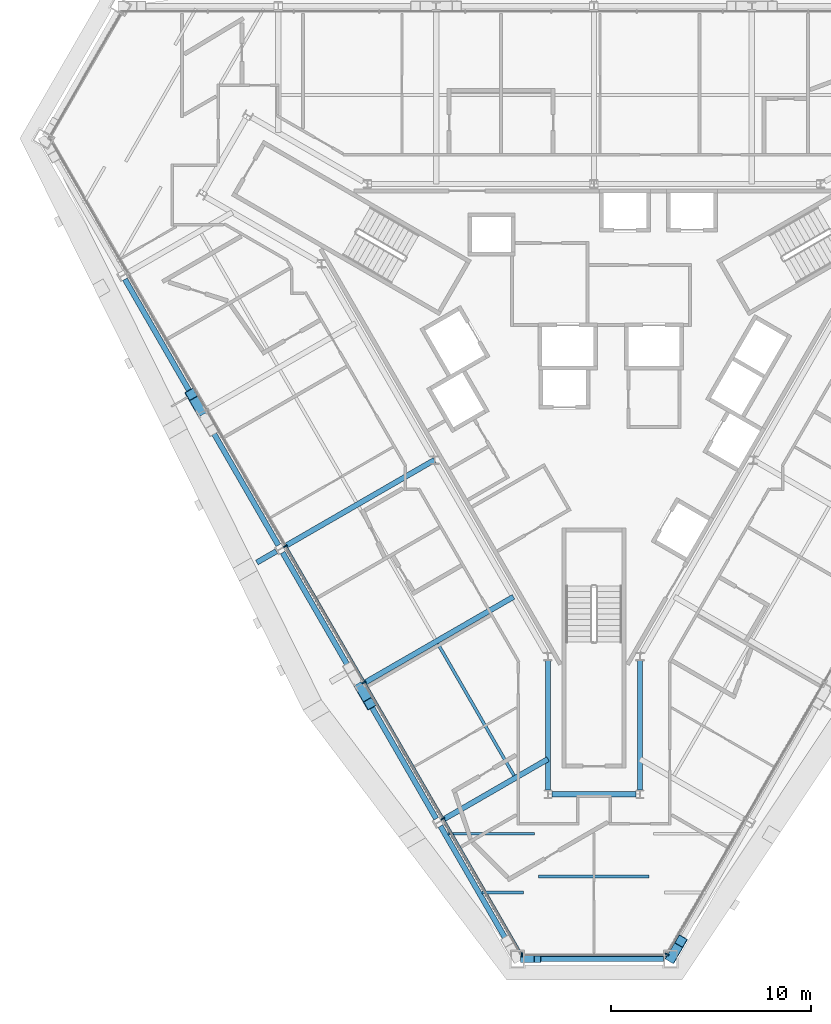
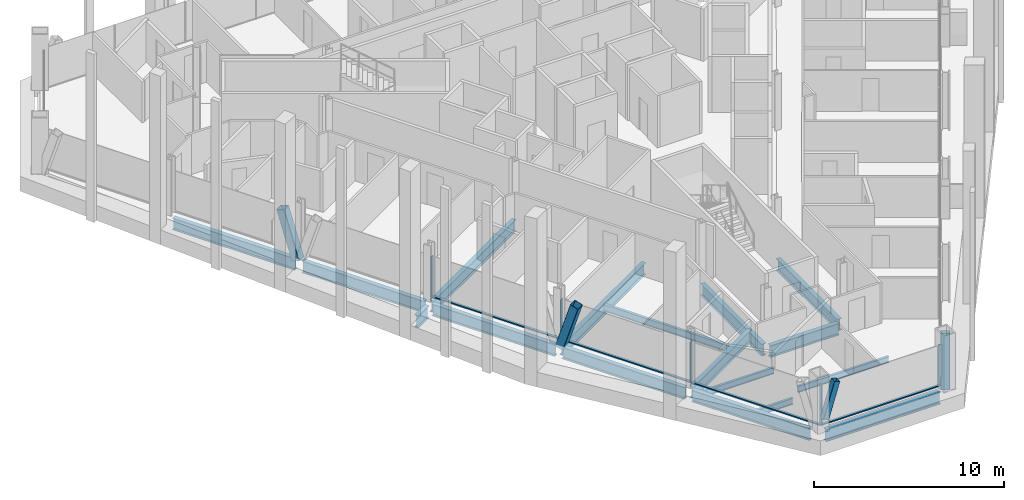
# One storey, part 3 of 17: 17 beams, 13 members, 3 elements without a shape of their own.
"""IFC4 building model written with IfcOpenShell, lengths in metres."""

from ifc_helpers import new_model, si_unit, direction, frame, origin, origin_2d, place, context, subcontext, project, spatial, rectangle, hollow_rectangle, i_section, extrude, material, material_profile, profile_set, type_object, element, aggregate, save


model = new_model("IFC4")

# Units and contexts
model_context = context("Model", 3, precision=1e-05, world=origin(), true_north=direction((0.0, 1.0)))
body_context = subcontext(model_context, "Body", "Model", "MODEL_VIEW")
ifc_project = project(units=[si_unit("LENGTHUNIT", "METRE"), si_unit("AREAUNIT", "SQUARE_METRE"), si_unit("VOLUMEUNIT", "CUBIC_METRE"), si_unit("PLANEANGLEUNIT", "RADIAN"), si_unit("MASSUNIT", "GRAM", prefix="KILO")], contexts=[model_context])

# Site, building, storey
site_placement = place(None, origin())
site = spatial("IfcSite", under=ifc_project, at=site_placement, CompositionType="ELEMENT")
building_placement = place(site_placement, origin())
building = spatial("IfcBuilding", under=site, at=building_placement, Name="Verrane Prism Tower", CompositionType="ELEMENT")
storey_placement = place(building_placement, frame((0.0, 0.0, 92.800048828125)))
storey = spatial("IfcBuildingStorey", under=building, at=storey_placement, Name="L21", CompositionType="ELEMENT", Elevation=92.800048828125)

# Member
ifc_material_1 = material(Name="Steel A500 Grade C", Category="steel")
ifc_material_profile_1 = material_profile(ifc_material_1, hollow_rectangle(XDim=0.355712890625, YDim=0.355712890625, WallThickness=0.0126953125, InnerFilletRadius=0.00634765625, OuterFilletRadius=0.01904296875, at=origin_2d()), Name="HSS14x14x1/2")
ifc_profile_set_1 = profile_set([ifc_material_profile_1], Name="Steel A500 Grade C")
member_type_1 = type_object("IfcMemberType", Name="Chamfer brace HSS14x14x1/2", PredefinedType="BRACE", material=ifc_profile_set_1)
member_1_placement = place(storey_placement, frame((-3.510009765625, -29.5400390625, 0.509033203125), z_axis=(0.290814430596, 0.0, 0.95677947666), x_axis=(0.0, 1.0, 0.0)))
element("IfcMember", 1, at=member_1_placement, inside=storey, type_object=member_type_1, Name="Chamfer brace S0 L21", PredefinedType="BRACE", context=body_context, shape_type="SweptSolid", body=[
    extrude(hollow_rectangle(XDim=0.355712890625, YDim=0.355712890625, WallThickness=0.0126953125, InnerFilletRadius=0.00634765625, OuterFilletRadius=0.01904296875, at=origin_2d()), origin(), (0.0, 0.0, 1.0), 2.3505859375),
])

# Beams
ifc_material_2 = material(Name="Steel A992", Category="steel")
ifc_material_profile_2 = material_profile(ifc_material_2, i_section(OverallWidth=0.2666015625, OverallDepth=0.76708984375, WebThickness=0.014892578125, FlangeThickness=0.023681640625, FilletRadius=0.0166015625, at=origin_2d()), Name="W30x124")
ifc_profile_set_2 = profile_set([ifc_material_profile_2], Name="Steel A992")
beam_type_1 = type_object("IfcBeamType", Name="Chamfer spandrel beam W30x124", PredefinedType="SPANDREL", material=ifc_profile_set_2)
beam_1_placement = place(storey_placement, frame((-3.47998046875, -29.5400390625, -0.54345703125), z_axis=(1.0, 0.0, 0.0), x_axis=(0.0, 1.0, 0.0)))
element("IfcBeam", 2, at=beam_1_placement, inside=storey, type_object=beam_type_1, Name="Chamfer spandrel beam L21", PredefinedType="SPANDREL", context=body_context, shape_type="SweptSolid", body=[
    extrude(i_section(OverallWidth=0.2666015625, OverallDepth=0.76708984375, WebThickness=0.014892578125, FlangeThickness=0.023681640625, FilletRadius=0.0166015625, at=origin_2d()), origin(), (0.0, 0.0, 1.0), 6.9599609375),
])
ifc_material_3 = material(Name="Steel A992", Category="steel")
ifc_material_profile_3 = material_profile(ifc_material_3, i_section(OverallWidth=0.2666015625, OverallDepth=0.7568359375, WebThickness=0.013916015625, FlangeThickness=0.019287109375, FilletRadius=0.0166015625, at=origin_2d()), Name="W30x108")
ifc_profile_set_3 = profile_set([ifc_material_profile_3], Name="Steel A992")
beam_type_2 = type_object("IfcBeamType", Name="Core ring girder W30x108", PredefinedType="BEAM", material=ifc_profile_set_3)
beam_2_placement = place(storey_placement, frame((-2.300048828125, -14.619384765625, -0.628662109375), z_axis=(0.0, -1.0, 0.0), x_axis=(1.0, 0.0, 0.0)))
element("IfcBeam", 3, at=beam_2_placement, inside=storey, type_object=beam_type_2, Name="Core ring girder L21", PredefinedType="BEAM", context=body_context, shape_type="SweptSolid", body=[
    extrude(i_section(OverallWidth=0.2666015625, OverallDepth=0.7568359375, WebThickness=0.013916015625, FlangeThickness=0.019287109375, FilletRadius=0.0166015625, at=origin_2d()), origin(), (0.0, 0.0, 1.0), 6.46337890625),
])
beam_3_placement = place(storey_placement, frame((-2.09423828125, -21.300048828125, -0.628662109375), z_axis=(1.0, 0.0, 0.0), x_axis=(0.0, 1.0, 0.0)))
element("IfcBeam", 4, at=beam_3_placement, inside=storey, type_object=beam_type_2, Name="Core ring girder L21", PredefinedType="BEAM", context=body_context, shape_type="SweptSolid", body=[
    extrude(i_section(OverallWidth=0.2666015625, OverallDepth=0.7568359375, WebThickness=0.013916015625, FlangeThickness=0.019287109375, FilletRadius=0.0166015625, at=origin_2d()), origin(), (0.0, 0.0, 1.0), 4.1884765625),
])
beam_4_placement = place(storey_placement, frame((2.300048828125, -21.082763671875, -0.628662109375), z_axis=(0.0, 1.0, 0.0), x_axis=(-1.0, 0.0, 0.0)))
element("IfcBeam", 5, at=beam_4_placement, inside=storey, type_object=beam_type_2, Name="Core ring girder L21", PredefinedType="BEAM", context=body_context, shape_type="SweptSolid", body=[
    extrude(i_section(OverallWidth=0.2666015625, OverallDepth=0.7568359375, WebThickness=0.013916015625, FlangeThickness=0.019287109375, FilletRadius=0.0166015625, at=origin_2d()), origin(), (0.0, 0.0, 1.0), 6.46337890625),
])

# Members
ifc_material_4 = material(Name="Steel A1085 Grade A", Category="steel")
ifc_material_profile_4 = material_profile(ifc_material_4, hollow_rectangle(XDim=0.508056640625, YDim=0.508056640625, WallThickness=0.025390625, InnerFilletRadius=0.0126953125, OuterFilletRadius=0.0380859375, at=origin_2d()), Name="HSS20x20x1")
ifc_profile_set_4 = profile_set([ifc_material_profile_4], Name="Steel A1085 Grade A")
member_type_2 = type_object("IfcMemberType", Name="Facade brace HSS20x20x1", PredefinedType="BRACE", material=ifc_profile_set_4)
for number, where, z_axis, x_axis, name in (
    (6, (-19.663330078125, -2.11767578125, -0.19775390625), (-0.149232677326, 0.258680457536, 0.954365773122), (-0.866194352207, -0.499707258507, 0.0), "Facade brace SW1 L21"),
    (7, (-11.666748046875, -15.972412109375, -0.19775390625), (0.149235712213, -0.258607090342, 0.954385181688), (0.866128586522, 0.499821239653, 0.0), "Facade brace SW4 L21"),
):
    element("IfcMember", number, at=place(storey_placement, frame(where, z_axis=z_axis, x_axis=x_axis)), inside=storey, type_object=member_type_2, Name=name, PredefinedType="BRACE", context=body_context, shape_type="SweptSolid", body=[
        extrude(hollow_rectangle(XDim=0.508056640625, YDim=0.508056640625, WallThickness=0.025390625, InnerFilletRadius=0.0126953125, OuterFilletRadius=0.0380859375, at=origin_2d()), origin(), (0.0, 0.0, 1.0), 3.10498046875),
    ])
member_2_placement = place(storey_placement, frame((3.88330078125, -29.447509765625, -0.19775390625), z_axis=(0.149620062024, 0.258591899105, 0.954329118678), x_axis=(-0.865558385202, 0.500808028896, 0.0)))
element("IfcMember", 8, at=member_2_placement, inside=storey, type_object=member_type_2, Name="Facade brace SE0 L21", PredefinedType="BRACE", context=body_context, shape_type="SweptSolid", body=[
    extrude(hollow_rectangle(XDim=0.508056640625, YDim=0.508056640625, WallThickness=0.025390625, InnerFilletRadius=0.0126953125, OuterFilletRadius=0.0380859375, at=origin_2d()), origin(), (0.0, 0.0, 1.0), 3.105224609375),
])

# Beams
ifc_material_5 = material(Name="Steel A992", Category="steel")
ifc_material_profile_5 = material_profile(ifc_material_5, i_section(OverallWidth=0.140380859375, OverallDepth=0.40380859375, WebThickness=0.007080078125, FlangeThickness=0.01123046875, FilletRadius=0.01025390625, at=origin_2d()), Name="W16x31")
ifc_profile_set_5 = profile_set([ifc_material_profile_5], Name="Steel A992")
beam_type_3 = type_object("IfcBeamType", Name="Floor beam W16x31", PredefinedType="BEAM", material=ifc_profile_set_5)
beam_5_placement = place(storey_placement, frame((-5.6015625, -26.2099609375, -0.362060546875), z_axis=(1.0, 0.0, 0.0), x_axis=(0.0, 1.0, 0.0)))
element("IfcBeam", 9, at=beam_5_placement, inside=storey, type_object=beam_type_3, Name="Floor beam L21", PredefinedType="BEAM", context=body_context, shape_type="SweptSolid", body=[
    extrude(i_section(OverallWidth=0.140380859375, OverallDepth=0.40380859375, WebThickness=0.007080078125, FlangeThickness=0.01123046875, FilletRadius=0.01025390625, at=origin_2d()), origin(), (0.0, 0.0, 1.0), 2.084716796875),
])
beam_6_placement = place(storey_placement, frame((-7.296142578125, -23.280029296875, -0.362060546875), z_axis=(1.0, 0.0, 0.0), x_axis=(0.0, 1.0, 0.0)))
element("IfcBeam", 10, at=beam_6_placement, inside=storey, type_object=beam_type_3, Name="Floor beam L21", PredefinedType="BEAM", context=body_context, shape_type="SweptSolid", body=[
    extrude(i_section(OverallWidth=0.140380859375, OverallDepth=0.40380859375, WebThickness=0.007080078125, FlangeThickness=0.01123046875, FilletRadius=0.01025390625, at=origin_2d()), origin(), (0.0, 0.0, 1.0), 4.3232421875),
])
beam_7_placement = place(storey_placement, frame((-2.760009765625, -25.419921875, -0.362060546875), z_axis=(1.0, 0.0, 0.0), x_axis=(0.0, 1.0, 0.0)))
element("IfcBeam", 11, at=beam_7_placement, inside=storey, type_object=beam_type_3, Name="Floor beam L21", PredefinedType="BEAM", context=body_context, shape_type="SweptSolid", body=[
    extrude(i_section(OverallWidth=0.140380859375, OverallDepth=0.40380859375, WebThickness=0.007080078125, FlangeThickness=0.01123046875, FilletRadius=0.01025390625, at=origin_2d()), origin(), (0.0, 0.0, 1.0), 5.52001953125),
])
ifc_material_6 = material(Name="Steel A992", Category="steel")
ifc_material_profile_6 = material_profile(ifc_material_6, i_section(OverallWidth=0.15234375, OverallDepth=0.449462890625, WebThickness=0.007568359375, FlangeThickness=0.0107421875, FilletRadius=0.01025390625, at=origin_2d()), Name="W18x35")
ifc_profile_set_6 = profile_set([ifc_material_profile_6], Name="Steel A992")
beam_type_4 = type_object("IfcBeamType", Name="Floor beam W18x35", PredefinedType="BEAM", material=ifc_profile_set_6)
beam_8_placement = place(storey_placement, frame((-3.99560546875, -20.37353515625, -0.384765625), z_axis=(-0.499996178778, 0.866027609957, 0.0), x_axis=(-0.866027609957, -0.499996178778, 0.0)))
element("IfcBeam", 12, at=beam_8_placement, inside=storey, type_object=beam_type_4, Name="Floor beam L21", PredefinedType="BEAM", context=body_context, shape_type="SweptSolid", body=[
    extrude(i_section(OverallWidth=0.15234375, OverallDepth=0.449462890625, WebThickness=0.007568359375, FlangeThickness=0.0107421875, FilletRadius=0.01025390625, at=origin_2d()), origin(), (0.0, 0.0, 1.0), 7.61767578125),
])

# Curtain wall, members
ifc_material_7 = material(Name="Aluminium framed insulated glazing", Category="aluminium")
curtain_wall_type = type_object("IfcCurtainWallType", Name="Curtain wall CW-A 8400 module", PredefinedType="NOTDEFINED", material=ifc_material_7)
curtain_wall_1_placement = place(storey_placement, origin())
curtain_wall_1 = element("IfcCurtainWall", 13, at=curtain_wall_1_placement, inside=storey, type_object=curtain_wall_type, Name="Glazed curtain wall south-west face L21", PredefinedType="NOTDEFINED")
ifc_material_8 = material(Name="Aluminium alloy 6063-T6", Category="aluminium")
ifc_material_profile_7 = material_profile(ifc_material_8, rectangle(XDim=0.199951171875, YDim=0.070068359375, at=origin_2d()), Name="Mullion 70x200 aluminium")
ifc_profile_set_7 = profile_set([ifc_material_profile_7], Name="Aluminium alloy 6063-T6")
member_type_3 = type_object("IfcMemberType", Name="Mullion 70x200 aluminium", PredefinedType="MULLION", material=ifc_profile_set_7)
member_3_placement = place(storey_placement, frame((-15.4248046875, -8.905517578125, 0.0), z_axis=(0.0, 0.0, 1.0), x_axis=(0.866025621383, 0.499999623108, 0.0)))
member_3 = element("IfcMember", 14, at=member_3_placement, type_object=member_type_3, Name="CW21.4 mullion 4", PredefinedType="MULLION", context=body_context, shape_type="SweptSolid", body=[
    extrude(rectangle(XDim=0.199951171875, YDim=0.070068359375, at=origin_2d()), origin(), (0.0, 0.0, 1.0), 2.61279296875),
])
member_4_placement = place(storey_placement, frame((-11.4931640625, -15.71533203125, 0.0), z_axis=(0.0, 0.0, 1.0), x_axis=(0.866025621383, 0.499999623108, 0.0)))
member_4 = element("IfcMember", 15, at=member_4_placement, type_object=member_type_3, Name="CW21.4 mullion 5", PredefinedType="MULLION", context=body_context, shape_type="SweptSolid", body=[
    extrude(rectangle(XDim=0.199951171875, YDim=0.070068359375, at=origin_2d()), origin(), (0.0, 0.0, 1.0), 2.61279296875),
])
member_5_placement = place(storey_placement, frame((-7.5615234375, -22.525146484375, 0.0), z_axis=(0.0, 0.0, 1.0), x_axis=(0.866025621383, 0.499999623108, 0.0)))
member_5 = element("IfcMember", 16, at=member_5_placement, type_object=member_type_3, Name="CW21.4 mullion 6", PredefinedType="MULLION", context=body_context, shape_type="SweptSolid", body=[
    extrude(rectangle(XDim=0.199951171875, YDim=0.070068359375, at=origin_2d()), origin(), (0.0, 0.0, 1.0), 2.61279296875),
])

# Curtain wall, member
curtain_wall_2_placement = place(storey_placement, origin())
curtain_wall_2 = element("IfcCurtainWall", 17, at=curtain_wall_2_placement, inside=storey, type_object=curtain_wall_type, Name="Glazed curtain wall south corner L21", PredefinedType="NOTDEFINED")
member_6_placement = place(storey_placement, frame((-3.594970703125, -29.334716796875, 0.0), z_axis=(0.0, 0.0, 1.0), x_axis=(0.0, 1.0, 0.0)))
member_6 = element("IfcMember", 18, at=member_6_placement, type_object=member_type_3, Name="CW21.5 mullion 1", PredefinedType="MULLION", context=body_context, shape_type="SweptSolid", body=[
    extrude(rectangle(XDim=0.199951171875, YDim=0.070068359375, at=origin_2d()), origin(), (0.0, 0.0, 1.0), 2.61279296875),
])

curtain_wall_3_placement = place(storey_placement, origin())
curtain_wall_3 = element("IfcCurtainWall", 19, at=curtain_wall_3_placement, inside=storey, type_object=curtain_wall_type, Name="Glazed curtain wall south-east face L21", PredefinedType="NOTDEFINED")
member_7_placement = place(storey_placement, frame((3.6474609375, -29.304443359375, 0.0), z_axis=(0.0, 0.0, 1.0), x_axis=(-0.866025621383, 0.499999623108, 0.0)))
member_7 = element("IfcMember", 20, at=member_7_placement, type_object=member_type_3, Name="CW21.6 mullion 1", PredefinedType="MULLION", context=body_context, shape_type="SweptSolid", body=[
    extrude(rectangle(XDim=0.199951171875, YDim=0.070068359375, at=origin_2d()), origin(), (0.0, 0.0, 1.0), 2.61279296875),
])
aggregate(curtain_wall_3, [member_7])

# Beams
ifc_material_9 = material(Name="Steel A992", Category="steel")
ifc_material_profile_8 = material_profile(ifc_material_9, i_section(OverallWidth=0.2666015625, OverallDepth=0.76708984375, WebThickness=0.014892578125, FlangeThickness=0.023681640625, FilletRadius=0.0166015625, at=origin_2d()), Name="W30x124")
ifc_profile_set_8 = profile_set([ifc_material_profile_8], Name="Steel A992")
beam_type_5 = type_object("IfcBeamType", Name="Radial girder W30x124", PredefinedType="BEAM", material=ifc_profile_set_8)
beam_9_placement = place(storey_placement, frame((-15.46435546875, -8.92138671875, -0.603515625), z_axis=(0.866014988611, 0.500018039176, 0.0), x_axis=(-0.500018039176, 0.866014988611, 0.0)))
element("IfcBeam", 21, at=beam_9_placement, inside=storey, type_object=beam_type_5, Name="Radial girder L21", PredefinedType="BEAM", context=body_context, shape_type="SweptSolid", body=[
    extrude(i_section(OverallWidth=0.2666015625, OverallDepth=0.76708984375, WebThickness=0.014892578125, FlangeThickness=0.023681640625, FilletRadius=0.0166015625, at=origin_2d()), origin(), (0.0, 0.0, 1.0), 8.651123046875),
])
beam_10_placement = place(storey_placement, frame((-11.514404296875, -15.76123046875, -0.603515625), z_axis=(0.866025318361, 0.500000147958, 0.0), x_axis=(-0.500000147958, 0.866025318361, 0.0)))
element("IfcBeam", 22, at=beam_10_placement, inside=storey, type_object=beam_type_5, Name="Radial girder L21", PredefinedType="BEAM", context=body_context, shape_type="SweptSolid", body=[
    extrude(i_section(OverallWidth=0.2666015625, OverallDepth=0.76708984375, WebThickness=0.014892578125, FlangeThickness=0.023681640625, FilletRadius=0.0166015625, at=origin_2d()), origin(), (0.0, 0.0, 1.0), 8.650390625),
])
beam_11_placement = place(storey_placement, frame((-7.57421875, -22.59130859375, -0.603515625), z_axis=(0.866016687335, 0.50001509703, 0.0), x_axis=(-0.50001509703, 0.866016687335, 0.0)))
element("IfcBeam", 23, at=beam_11_placement, inside=storey, type_object=beam_type_5, Name="Radial girder L21", PredefinedType="BEAM", context=body_context, shape_type="SweptSolid", body=[
    extrude(i_section(OverallWidth=0.2666015625, OverallDepth=0.76708984375, WebThickness=0.014892578125, FlangeThickness=0.023681640625, FilletRadius=0.0166015625, at=origin_2d()), origin(), (0.0, 0.0, 1.0), 6.090087890625),
])
beam_12_placement = place(storey_placement, frame((-15.872314453125, -9.15673828125, -0.603515625), z_axis=(-0.865954713328, -0.500122419478, 0.0), x_axis=(0.500122419478, -0.865954713328, 0.0)))
element("IfcBeam", 24, at=beam_12_placement, inside=storey, type_object=beam_type_5, Name="Cantilever girder L21", PredefinedType="BEAM", context=body_context, shape_type="SweptSolid", body=[
    extrude(i_section(OverallWidth=0.2666015625, OverallDepth=0.76708984375, WebThickness=0.014892578125, FlangeThickness=0.023681640625, FilletRadius=0.0166015625, at=origin_2d()), origin(), (0.0, 0.0, 1.0), 1.127197265625),
])
ifc_material_10 = material(Name="Steel A992", Category="steel")
ifc_material_profile_9 = material_profile(ifc_material_10, i_section(OverallWidth=0.2666015625, OverallDepth=0.7568359375, WebThickness=0.013916015625, FlangeThickness=0.019287109375, FilletRadius=0.0166015625, at=origin_2d()), Name="W30x108")
ifc_profile_set_9 = profile_set([ifc_material_profile_9], Name="Steel A992")
beam_type_6 = type_object("IfcBeamType", Name="Spandrel beam W30x108", PredefinedType="SPANDREL", material=ifc_profile_set_9)
beam_13_placement = place(storey_placement, frame((-23.444091796875, 4.436279296875, -0.53857421875), z_axis=(0.499679960224, -0.866210100005, 0.0), x_axis=(0.866210100005, 0.499679960224, 0.0)))
element("IfcBeam", 25, at=beam_13_placement, inside=storey, type_object=beam_type_6, Name="Spandrel beam L21", PredefinedType="SPANDREL", context=body_context, shape_type="SweptSolid", body=[
    extrude(i_section(OverallWidth=0.2666015625, OverallDepth=0.7568359375, WebThickness=0.013916015625, FlangeThickness=0.019287109375, FilletRadius=0.0166015625, at=origin_2d()), origin(), (0.0, 0.0, 1.0), 7.4609375),
])
beam_14_placement = place(storey_placement, frame((-19.50390625, -2.393798828125, -0.53857421875), z_axis=(0.499694123976, -0.866201929381, 0.0), x_axis=(0.866201929381, 0.499694123976, 0.0)))
element("IfcBeam", 26, at=beam_14_placement, inside=storey, type_object=beam_type_6, Name="Spandrel beam L21", PredefinedType="SPANDREL", context=body_context, shape_type="SweptSolid", body=[
    extrude(i_section(OverallWidth=0.2666015625, OverallDepth=0.7568359375, WebThickness=0.013916015625, FlangeThickness=0.019287109375, FilletRadius=0.0166015625, at=origin_2d()), origin(), (0.0, 0.0, 1.0), 7.460693359375),
])
beam_15_placement = place(storey_placement, frame((-15.56396484375, -9.2236328125, -0.53857421875), z_axis=(0.500080587159, -0.865978871767, 0.0), x_axis=(0.865978871767, 0.500080587159, 0.0)))
element("IfcBeam", 27, at=beam_15_placement, inside=storey, type_object=beam_type_6, Name="Spandrel beam L21", PredefinedType="SPANDREL", context=body_context, shape_type="SweptSolid", body=[
    extrude(i_section(OverallWidth=0.2666015625, OverallDepth=0.7568359375, WebThickness=0.013916015625, FlangeThickness=0.019287109375, FilletRadius=0.0166015625, at=origin_2d()), origin(), (0.0, 0.0, 1.0), 7.474365234375),
])
beam_16_placement = place(storey_placement, frame((-11.614013671875, -16.063720703125, -0.53857421875), z_axis=(0.499679960224, -0.866210100005, 0.0), x_axis=(0.866210100005, 0.499679960224, 0.0)))
element("IfcBeam", 28, at=beam_16_placement, inside=storey, type_object=beam_type_6, Name="Spandrel beam L21", PredefinedType="SPANDREL", context=body_context, shape_type="SweptSolid", body=[
    extrude(i_section(OverallWidth=0.2666015625, OverallDepth=0.7568359375, WebThickness=0.013916015625, FlangeThickness=0.019287109375, FilletRadius=0.0166015625, at=origin_2d()), origin(), (0.0, 0.0, 1.0), 7.4609375),
])
beam_17_placement = place(storey_placement, frame((-7.673828125, -22.8935546875, -0.53857421875), z_axis=(0.50064633236, -0.865651921903, 0.0), x_axis=(0.865651921903, 0.50064633236, 0.0)))
element("IfcBeam", 29, at=beam_17_placement, inside=storey, type_object=beam_type_6, Name="Spandrel beam L21", PredefinedType="SPANDREL", context=body_context, shape_type="SweptSolid", body=[
    extrude(i_section(OverallWidth=0.2666015625, OverallDepth=0.7568359375, WebThickness=0.013916015625, FlangeThickness=0.019287109375, FilletRadius=0.0166015625, at=origin_2d()), origin(), (0.0, 0.0, 1.0), 7.158203125),
])

# Member
ifc_material_11 = material(Name="Aluminium alloy 6063-T6", Category="aluminium")
ifc_material_profile_10 = material_profile(ifc_material_11, rectangle(XDim=0.14990234375, YDim=0.070068359375, at=origin_2d()), Name="Transom 70x150 aluminium")
ifc_profile_set_10 = profile_set([ifc_material_profile_10], Name="Aluminium alloy 6063-T6")
member_type_4 = type_object("IfcMemberType", Name="Transom 70x150 aluminium", PredefinedType="USERDEFINED", material=ifc_profile_set_10)
member_8_placement = place(storey_placement, frame((-15.4072265625, -8.935791015625, 0.034912109375), z_axis=(0.499980071345, -0.866036909293, 0.0), x_axis=(0.866036909293, 0.499980071345, 0.0)))
member_8 = element("IfcMember", 30, at=member_8_placement, type_object=member_type_4, Name="CW21.4 transom 4", ObjectType="TRANSOM", PredefinedType="USERDEFINED", context=body_context, shape_type="SweptSolid", body=[
    extrude(rectangle(XDim=0.14990234375, YDim=0.070068359375, at=origin_2d()), origin(), (0.0, 0.0, 1.0), 7.793212890625),
])

member_9_placement = place(storey_placement, frame((-11.4755859375, -15.74560546875, 0.034912109375), z_axis=(0.499993636311, -0.866029077831, 0.0), x_axis=(0.866029077831, 0.499993636311, 0.0)))
member_9 = element("IfcMember", 31, at=member_9_placement, type_object=member_type_4, Name="CW21.4 transom 5", ObjectType="TRANSOM", PredefinedType="USERDEFINED", context=body_context, shape_type="SweptSolid", body=[
    extrude(rectangle(XDim=0.14990234375, YDim=0.070068359375, at=origin_2d()), origin(), (0.0, 0.0, 1.0), 7.79296875),
])

member_10_placement = place(storey_placement, frame((-7.5439453125, -22.555419921875, 0.034912109375), z_axis=(0.500003221507, -0.866023543838, 0.0), x_axis=(0.866023543838, 0.500003221507, 0.0)))
member_10 = element("IfcMember", 32, at=member_10_placement, type_object=member_type_4, Name="CW21.4 transom 6", ObjectType="TRANSOM", PredefinedType="USERDEFINED", context=body_context, shape_type="SweptSolid", body=[
    extrude(rectangle(XDim=0.14990234375, YDim=0.070068359375, at=origin_2d()), origin(), (0.0, 0.0, 1.0), 7.828125),
])

aggregate(curtain_wall_1, [member_3, member_4, member_5, member_8, member_9, member_10])

member_11_placement = place(storey_placement, frame((-3.559814453125, -29.334716796875, 0.034912109375), z_axis=(1.0, 0.0, 0.0), x_axis=(0.0, 1.0, 0.0)))
member_11 = element("IfcMember", 33, at=member_11_placement, type_object=member_type_4, Name="CW21.5 transom 1", ObjectType="TRANSOM", PredefinedType="USERDEFINED", context=body_context, shape_type="SweptSolid", body=[
    extrude(rectangle(XDim=0.14990234375, YDim=0.070068359375, at=origin_2d()), origin(), (0.0, 0.0, 1.0), 7.189697265625),
])

aggregate(curtain_wall_2, [member_6, member_11])

save(model, "model.ifc")
